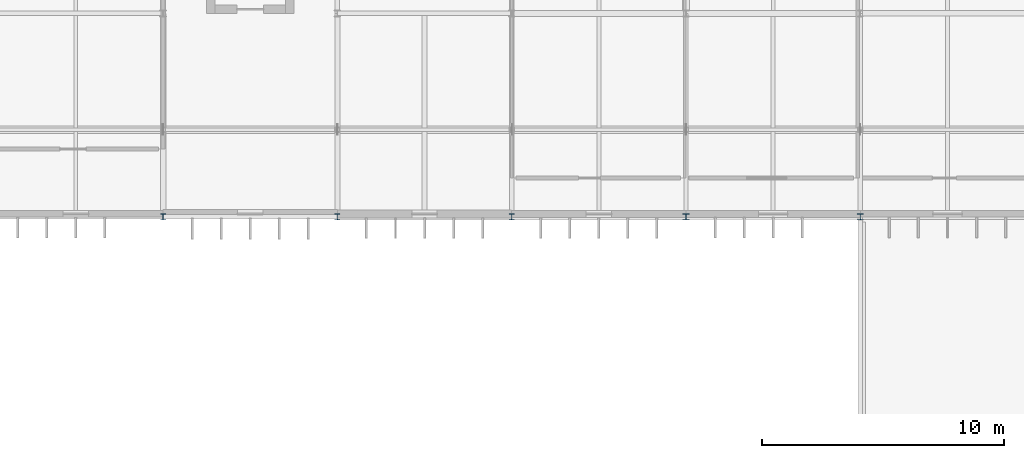
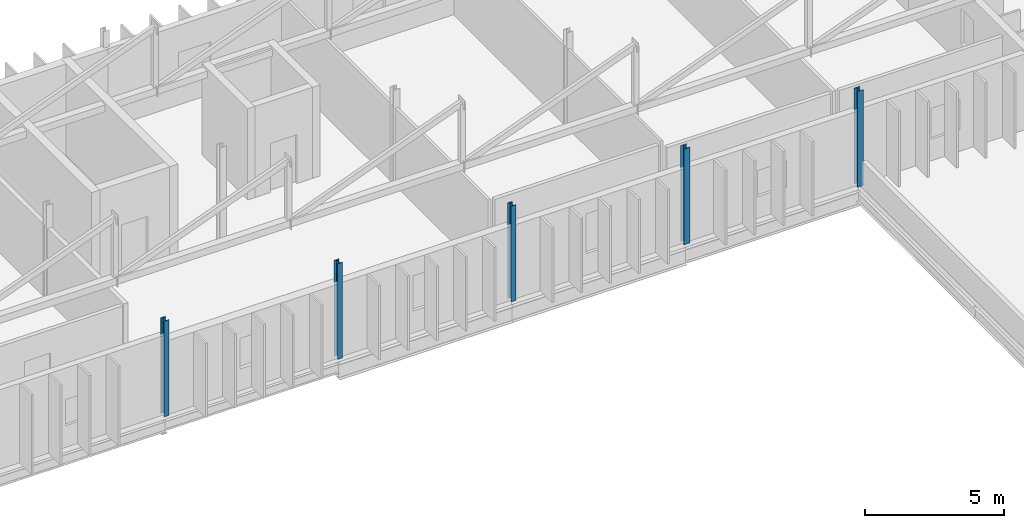
# One storey, part 6 of 52: 5 columns.
"""IFC4 building model written with IfcOpenShell, lengths in metres."""

from ifc_helpers import new_model, si_unit, direction, frame, origin, origin_2d, place, context, subcontext, project, spatial, i_section, extrude, material, material_profile, profile_set, type_object, element, save


model = new_model("IFC4")

# Units and contexts
model_context = context("Model", 3, precision=1e-05, world=origin(), true_north=direction((0.0, 1.0)))
body_context = subcontext(model_context, "Body", "Model", "MODEL_VIEW")
ifc_project = project(units=[si_unit("LENGTHUNIT", "METRE"), si_unit("AREAUNIT", "SQUARE_METRE"), si_unit("VOLUMEUNIT", "CUBIC_METRE"), si_unit("PLANEANGLEUNIT", "RADIAN"), si_unit("MASSUNIT", "GRAM", prefix="KILO")], contexts=[model_context])

# Site, building, storey
site_placement = place(None, origin())
site = spatial("IfcSite", under=ifc_project, at=site_placement, CompositionType="ELEMENT")
building_placement = place(site_placement, origin())
building = spatial("IfcBuilding", under=site, at=building_placement, Name="Qelthora Terrace Specialist Clinic", CompositionType="ELEMENT")
storey_placement = place(building_placement, frame((0.0, 0.0, 17.39990234375)))
storey = spatial("IfcBuildingStorey", under=building, at=storey_placement, Name="L04", CompositionType="ELEMENT", Elevation=17.39990234375)

# Columns
ifc_material = material(Name="Steel S355", Category="steel")
ifc_material_profile_1 = material_profile(ifc_material, i_section(OverallWidth=0.2041015625, OverallDepth=0.257080078125, WebThickness=0.0087890625, FlangeThickness=0.015625, FilletRadius=0.012939453125, at=origin_2d()), Name="W250X67")
ifc_profile_set_1 = profile_set([ifc_material_profile_1], Name="Steel S355")
column_type_1 = type_object("IfcColumnType", Name="COL-W250X67", PredefinedType="COLUMN", material=ifc_profile_set_1)
for number, where, z_axis, x_axis, name in (
    (1, (64.800048828125, 92.39990234375, 0.0), (0.0, 0.0, 1.0), (1.0, 0.0, 0.0), "Column L04-119"),
    (2, (72.0, 92.39990234375, 0.0), (0.0, 0.0, 1.0), (1.0, 0.0, 0.0), "Column L04-127"),
    (3, (79.199951171875, 92.39990234375, 0.0), (0.0, 0.0, 1.0), (1.0, 0.0, 0.0), "Column L04-135"),
):
    element("IfcColumn", number, at=place(storey_placement, frame(where, z_axis=z_axis, x_axis=x_axis)), inside=storey, type_object=column_type_1, Name=name, PredefinedType="COLUMN", context=body_context, shape_type="SweptSolid", body=[
        extrude(i_section(OverallWidth=0.2041015625, OverallDepth=0.257080078125, WebThickness=0.0087890625, FlangeThickness=0.015625, FilletRadius=0.012939453125, at=origin_2d()), origin(), (0.0, 0.0, 1.0), 4.2001953125),
    ])
ifc_material_profile_2 = material_profile(ifc_material, i_section(OverallWidth=0.25390625, OverallDepth=0.2529296875, WebThickness=0.008544921875, FlangeThickness=0.01416015625, FilletRadius=0.012939453125, at=origin_2d()), Name="W250X73")
ifc_profile_set_2 = profile_set([ifc_material_profile_2], Name="Steel S355")
column_type_2 = type_object("IfcColumnType", Name="COL-W250X73", PredefinedType="COLUMN", material=ifc_profile_set_2)
column_1_placement = place(storey_placement, frame((93.60009765625, 92.39990234375, 0.0), z_axis=(0.0, 0.0, 1.0), x_axis=(1.0, 0.0, 0.0)))
element("IfcColumn", 4, at=column_1_placement, inside=storey, type_object=column_type_2, Name="Column L04-158", PredefinedType="COLUMN", context=body_context, shape_type="SweptSolid", body=[
    extrude(i_section(OverallWidth=0.25390625, OverallDepth=0.2529296875, WebThickness=0.008544921875, FlangeThickness=0.01416015625, FilletRadius=0.012939453125, at=origin_2d()), origin(), (0.0, 0.0, 1.0), 4.2001953125),
])
ifc_material_profile_3 = material_profile(ifc_material, i_section(OverallWidth=0.256103515625, OverallDepth=0.260009765625, WebThickness=0.0107421875, FlangeThickness=0.017333984375, FilletRadius=0.012939453125, at=origin_2d()), Name="W250X89")
ifc_profile_set_3 = profile_set([ifc_material_profile_3], Name="Steel S355")
column_type_3 = type_object("IfcColumnType", Name="COL-W250X89", PredefinedType="COLUMN", material=ifc_profile_set_3)
column_2_placement = place(storey_placement, frame((86.39990234375, 92.39990234375, 0.0), z_axis=(0.0, 0.0, 1.0), x_axis=(1.0, 0.0, 0.0)))
element("IfcColumn", 5, at=column_2_placement, inside=storey, type_object=column_type_3, Name="Column L04-144", PredefinedType="COLUMN", context=body_context, shape_type="SweptSolid", body=[
    extrude(i_section(OverallWidth=0.256103515625, OverallDepth=0.260009765625, WebThickness=0.0107421875, FlangeThickness=0.017333984375, FilletRadius=0.012939453125, at=origin_2d()), origin(), (0.0, 0.0, 1.0), 4.2001953125),
])

save(model, "model.ifc")
